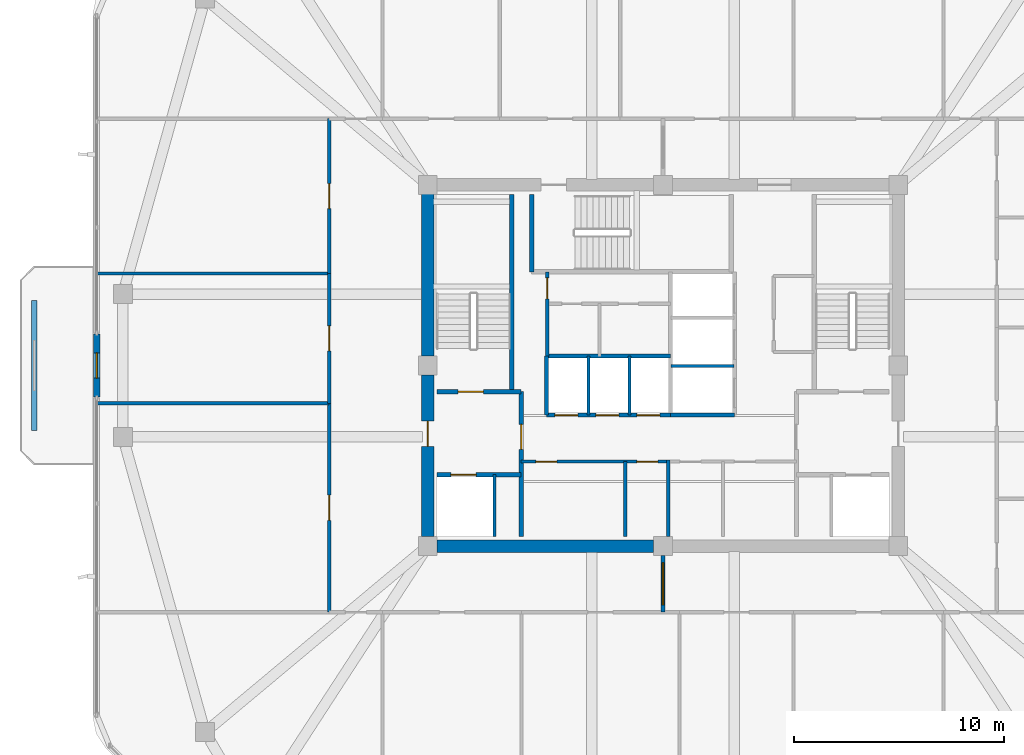
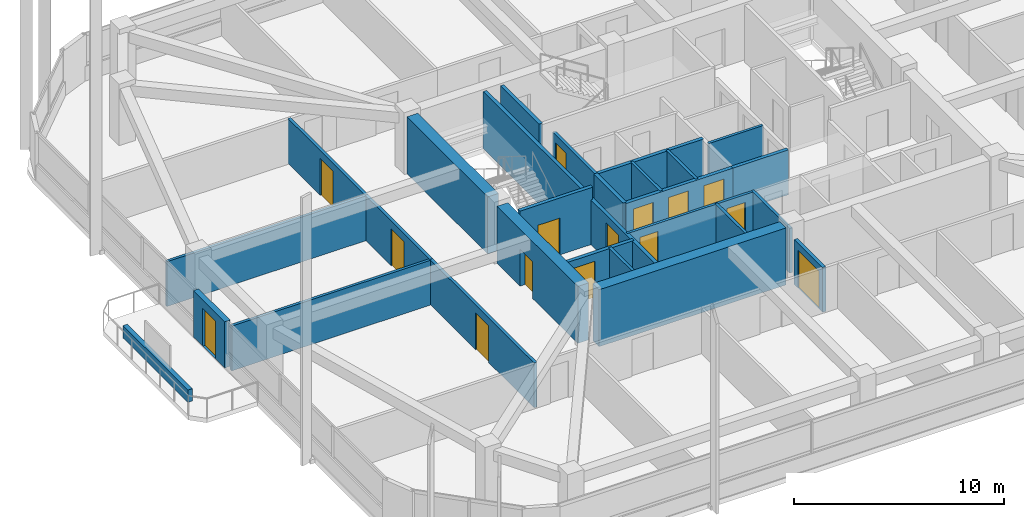
# One storey, part 10 of 17: 28 walls, 15 doors, 15 openings.
"""IFC4 building model written with IfcOpenShell, lengths in metres."""

from ifc_helpers import new_model, si_unit, derived_unit, direction, frame, frame_2d, origin, place, context, subcontext, project, spatial, rectangle, extrude, material, layer, layer_set, type_object, element, fill, save


model = new_model("IFC4")

# Units and contexts
model_context = context("Model", 3, precision=1e-05, world=origin(), true_north=direction((0.0, 1.0)))
body_context = subcontext(model_context, "Body", "Model", "MODEL_VIEW")
ifc_project = project(units=[si_unit("LENGTHUNIT", "METRE"), si_unit("AREAUNIT", "SQUARE_METRE"), si_unit("VOLUMEUNIT", "CUBIC_METRE"), si_unit("PLANEANGLEUNIT", "RADIAN"), si_unit("MASSUNIT", "GRAM", prefix="KILO"), derived_unit("THERMALTRANSMITTANCEUNIT", [(si_unit("POWERUNIT", "WATT"), 1), (si_unit("LENGTHUNIT", "METRE"), -2), (si_unit("THERMODYNAMICTEMPERATUREUNIT", "KELVIN"), -1)])], contexts=[model_context])

# Site, building, storey
site_placement = place(None, origin())
site = spatial("IfcSite", under=ifc_project, at=site_placement, CompositionType="ELEMENT")
building_placement = place(site_placement, origin())
building = spatial("IfcBuilding", under=site, at=building_placement, Name="Koralith Skygarden Medical Center", CompositionType="ELEMENT")
storey_placement = place(building_placement, frame((0.0, 0.0, 221.580078125)))
storey = spatial("IfcBuildingStorey", under=building, at=storey_placement, Name="L57", CompositionType="ELEMENT", Elevation=221.580078125)

# Wall, openings, doors
ifc_material_1 = material(Name="Gypsum Board Partition")
ifc_layer_1 = layer(ifc_material_1, 0.14990234375)
ifc_layer_set_1 = layer_set([ifc_layer_1], Name="Gypsum Board Partition")
wall_type_1 = type_object("IfcWallType", Name="Clinical Acoustic Partition 150", PredefinedType="PARTITIONING", material=ifc_layer_set_1)
wall_1_placement = place(storey_placement, frame((30.25, 21.320068359375, 0.0), z_axis=(0.0, 0.0, 1.0), x_axis=(1.0, 0.0, 0.0)))
wall_1 = element("IfcWall", 1, at=wall_1_placement, inside=storey, type_object=wall_type_1, Name="L57 Clinical Acoustic Partition 150 W-CORE-L57-FREED-LR-N", PredefinedType="PARTITIONING", context=body_context, shape_type="SweptSolid", body=[
    extrude(rectangle(XDim=7.0, YDim=0.14990234375, at=frame_2d((3.5, 0.0))), origin(), (0.0, 0.0, 1.0), 2.60986328125),
])
opening_1_placement = place(wall_1_placement, frame((0.699951171875, 0.0, 0.0)))
opening_1 = element("IfcOpeningElement", 2, at=opening_1_placement, cuts=wall_1, Name="Opening D-SUP", PredefinedType="OPENING", context=body_context, shape_type="SweptSolid", body=[
    extrude(rectangle(XDim=1.0, YDim=2.14990234375, at=frame_2d((0.5, 1.074951171875))), frame((0.0, 0.0849609375, 0.0), z_axis=(0.0, -1.0, 0.0), x_axis=(1.0, 0.0, 0.0)), (0.0, 0.0, 1.0), 0.169921875),
])
opening_2_placement = place(wall_1_placement, frame((5.5, 0.0, 0.0)))
opening_2 = element("IfcOpeningElement", 3, at=opening_2_placement, cuts=wall_1, Name="Opening D-SUP", PredefinedType="OPENING", context=body_context, shape_type="SweptSolid", body=[
    extrude(rectangle(XDim=1.0, YDim=2.14990234375, at=frame_2d((0.5, 1.074951171875))), frame((0.0, 0.0849609375, 0.0), z_axis=(0.0, -1.0, 0.0), x_axis=(1.0, 0.0, 0.0)), (0.0, 0.0, 1.0), 0.169921875),
])
ifc_material_2 = material(Name="Aluminium 6063-T6", Category="aluminium")
door_type_1 = type_object("IfcDoorType", Name="Clinical Support Door D-SUP 1000", OperationType="NOTDEFINED", PredefinedType="DOOR", material=ifc_material_2)
door_1_placement = place(opening_1_placement, frame((1.0, 0.0, 0.0), z_axis=(0.0, 0.0, 1.0), x_axis=(-1.0, 0.0, 0.0)))
door_1 = element("IfcDoor", 4, at=door_1_placement, inside=storey, type_object=door_type_1, Name="L57 Medication Preparation Door", OperationType="SINGLE_SWING_LEFT", OverallHeight=2.14990234375, OverallWidth=1.0, PredefinedType="DOOR", context=body_context, shape_type="SweptSolid", body=[
    extrude(rectangle(XDim=1.0, YDim=2.14990234375, at=frame_2d((0.5, 1.074951171875))), frame((0.0, 0.02490234375, 0.0), z_axis=(0.0, -1.0, 0.0), x_axis=(1.0, 0.0, 0.0)), (0.0, 0.0, 1.0), 0.050048828125),
])
fill(opening_1, door_1)
door_2_placement = place(opening_2_placement, frame((1.0, 0.0, 0.0), z_axis=(0.0, 0.0, 1.0), x_axis=(-1.0, 0.0, 0.0)))
door_2 = element("IfcDoor", 5, at=door_2_placement, inside=storey, type_object=door_type_1, Name="L57 Telemetry Room Door", OperationType="SINGLE_SWING_RIGHT", OverallHeight=2.14990234375, OverallWidth=1.0, PredefinedType="DOOR", context=body_context, shape_type="SweptSolid", body=[
    extrude(rectangle(XDim=1.0, YDim=2.14990234375, at=frame_2d((0.5, 1.074951171875))), frame((0.0, 0.02490234375, 0.0), z_axis=(0.0, -1.0, 0.0), x_axis=(1.0, 0.0, 0.0)), (0.0, 0.0, 1.0), 0.050048828125),
])
fill(opening_2, door_2)

# Walls
wall_2_placement = place(storey_placement, frame((35.199951171875, 17.75, 0.0), z_axis=(0.0, 0.0, 1.0), x_axis=(0.0, 1.0, 0.0)))
element("IfcWall", 6, at=wall_2_placement, inside=storey, type_object=wall_type_1, Name="L57 Clinical Acoustic Partition 150 W-CORE-L57-FREED-LR-M", PredefinedType="PARTITIONING", context=body_context, shape_type="SweptSolid", body=[
    extrude(rectangle(XDim=3.570068359375, YDim=0.14990234375, at=frame_2d((1.78515625, 0.0))), origin(), (0.0, 0.0, 1.0), 2.60986328125),
])
for number, where, z_axis, x_axis, name in (
    (7, (21.10009765625, 24.10009765625, 0.0), (0.0, 0.0, 1.0), (-1.0, 0.0, 0.0), "L57 Clinical Acoustic Partition 150 W-PART-L57-W-01"),
    (8, (21.10009765625, 30.280029296875, 0.0), (0.0, 0.0, 1.0), (-1.0, 0.0, 0.0), "L57 Clinical Acoustic Partition 150 W-PART-L57-W-02"),
):
    element("IfcWall", number, at=place(storey_placement, frame(where, z_axis=z_axis, x_axis=x_axis)), inside=storey, type_object=wall_type_1, Name=name, PredefinedType="PARTITIONING", context=body_context, shape_type="SweptSolid", body=[
        extrude(rectangle(XDim=11.0419921875, YDim=0.14990234375, at=frame_2d((5.52099609375, 0.0))), origin(), (0.0, 0.0, 1.0), 2.60986328125),
    ])

# Wall, opening, door
ifc_layer_2 = layer(ifc_material_1, 0.1650390625)
ifc_layer_set_2 = layer_set([ifc_layer_2], Name="Gypsum Board Partition")
wall_type_2 = type_object("IfcWallType", Name="Clinical Corridor Partition 165", PredefinedType="PARTITIONING", material=ifc_layer_set_2)
wall_3_placement = place(storey_placement, frame((21.10009765625, 14.14990234375, 0.0), z_axis=(0.0, 0.0, 1.0), x_axis=(0.0, 1.0, 0.0)))
wall_3 = element("IfcWall", 9, at=wall_3_placement, inside=storey, type_object=wall_type_2, Name="L57 Clinical Corridor Partition 165 W-CORR-L57-W-01", PredefinedType="PARTITIONING", context=body_context, shape_type="SweptSolid", body=[
    extrude(rectangle(XDim=9.9501953125, YDim=0.1650390625, at=frame_2d((4.97509765625, 0.0))), origin(), (0.0, 0.0, 1.0), 2.60986328125),
])
opening_3_placement = place(wall_3_placement, frame((4.375, 0.0, 0.0)))
opening_3 = element("IfcOpeningElement", 10, at=opening_3_placement, cuts=wall_3, Name="Opening D-CLN", PredefinedType="OPENING", context=body_context, shape_type="SweptSolid", body=[
    extrude(rectangle(XDim=1.199951171875, YDim=2.14990234375, at=frame_2d((0.60009765625, 1.074951171875))), frame((0.0, 0.092529296875, 0.0), z_axis=(0.0, -1.0, 0.0), x_axis=(1.0, 0.0, 0.0)), (0.0, 0.0, 1.0), 0.18505859375),
])
door_type_2 = type_object("IfcDoorType", Name="Clinical Corridor Door D-CLN 1200", OperationType="NOTDEFINED", PredefinedType="DOOR", material=ifc_material_2)
door_3_placement = place(opening_3_placement, frame((1.199951171875, 0.0, 0.0), z_axis=(0.0, 0.0, 1.0), x_axis=(-1.0, 0.0, 0.0)))
door_3 = element("IfcDoor", 11, at=door_3_placement, inside=storey, type_object=door_type_2, Name="L57 Medical Resident Teaching Seminar Room 13 Door", OperationType="SINGLE_SWING_RIGHT", OverallHeight=2.14990234375, OverallWidth=1.199951171875, PredefinedType="DOOR", context=body_context, shape_type="SweptSolid", body=[
    extrude(rectangle(XDim=1.199951171875, YDim=2.14990234375, at=frame_2d((0.60009765625, 1.074951171875))), frame((0.0, 0.02490234375, 0.0), z_axis=(0.0, -1.0, 0.0), x_axis=(1.0, 0.0, 0.0)), (0.0, 0.0, 1.0), 0.050048828125),
])
fill(opening_3, door_3)

wall_4_placement = place(storey_placement, frame((21.10009765625, 24.10009765625, 0.0), z_axis=(0.0, 0.0, 1.0), x_axis=(0.0, 1.0, 0.0)))
wall_4 = element("IfcWall", 12, at=wall_4_placement, inside=storey, type_object=wall_type_2, Name="L57 Clinical Corridor Partition 165 W-CORR-L57-W-02", PredefinedType="PARTITIONING", context=body_context, shape_type="SweptSolid", body=[
    extrude(rectangle(XDim=6.179931640625, YDim=0.1650390625, at=frame_2d((3.08984375, 0.0))), origin(), (0.0, 0.0, 1.0), 2.60986328125),
])
opening_4_placement = place(wall_4_placement, frame((2.489990234375, 0.0, 0.0)))
opening_4 = element("IfcOpeningElement", 13, at=opening_4_placement, cuts=wall_4, Name="Opening D-CLN", PredefinedType="OPENING", context=body_context, shape_type="SweptSolid", body=[
    extrude(rectangle(XDim=1.199951171875, YDim=2.14990234375, at=frame_2d((0.60009765625, 1.074951171875))), frame((0.0, 0.092529296875, 0.0), z_axis=(0.0, -1.0, 0.0), x_axis=(1.0, 0.0, 0.0)), (0.0, 0.0, 1.0), 0.18505859375),
])
door_4_placement = place(opening_4_placement, frame((1.199951171875, 0.0, 0.0), z_axis=(0.0, 0.0, 1.0), x_axis=(-1.0, 0.0, 0.0)))
door_4 = element("IfcDoor", 14, at=door_4_placement, inside=storey, type_object=door_type_2, Name="L57 Patient and Family Sky-Garden Day Lounge 14 Door", OperationType="SINGLE_SWING_LEFT", OverallHeight=2.14990234375, OverallWidth=1.199951171875, PredefinedType="DOOR", context=body_context, shape_type="SweptSolid", body=[
    extrude(rectangle(XDim=1.199951171875, YDim=2.14990234375, at=frame_2d((0.60009765625, 1.074951171875))), frame((0.0, 0.02490234375, 0.0), z_axis=(0.0, -1.0, 0.0), x_axis=(1.0, 0.0, 0.0)), (0.0, 0.0, 1.0), 0.050048828125),
])
fill(opening_4, door_4)

wall_5_placement = place(storey_placement, frame((21.10009765625, 30.280029296875, 0.0), z_axis=(0.0, 0.0, 1.0), x_axis=(0.0, 1.0, 0.0)))
wall_5 = element("IfcWall", 15, at=wall_5_placement, inside=storey, type_object=wall_type_2, Name="L57 Clinical Corridor Partition 165 W-CORR-L57-W-03", PredefinedType="PARTITIONING", context=body_context, shape_type="SweptSolid", body=[
    extrude(rectangle(XDim=7.369873046875, YDim=0.1650390625, at=frame_2d((3.68505859375, 0.0))), origin(), (0.0, 0.0, 1.0), 2.60986328125),
])
opening_5_placement = place(wall_5_placement, frame((3.0849609375, 0.0, 0.0)))
opening_5 = element("IfcOpeningElement", 16, at=opening_5_placement, cuts=wall_5, Name="Opening D-CLN", PredefinedType="OPENING", context=body_context, shape_type="SweptSolid", body=[
    extrude(rectangle(XDim=1.199951171875, YDim=2.14990234375, at=frame_2d((0.60009765625, 1.074951171875))), frame((0.0, 0.092529296875, 0.0), z_axis=(0.0, -1.0, 0.0), x_axis=(1.0, 0.0, 0.0)), (0.0, 0.0, 1.0), 0.18505859375),
])
door_5_placement = place(opening_5_placement, frame((1.199951171875, 0.0, 0.0), z_axis=(0.0, 0.0, 1.0), x_axis=(-1.0, 0.0, 0.0)))
door_5 = element("IfcDoor", 17, at=door_5_placement, inside=storey, type_object=door_type_2, Name="L57 Care Coordinator Office 15 Door", OperationType="SINGLE_SWING_RIGHT", OverallHeight=2.14990234375, OverallWidth=1.199951171875, PredefinedType="DOOR", context=body_context, shape_type="SweptSolid", body=[
    extrude(rectangle(XDim=1.199951171875, YDim=2.14990234375, at=frame_2d((0.60009765625, 1.074951171875))), frame((0.0, 0.02490234375, 0.0), z_axis=(0.0, -1.0, 0.0), x_axis=(1.0, 0.0, 0.0)), (0.0, 0.0, 1.0), 0.050048828125),
])
fill(opening_5, door_5)

ifc_layer_3 = layer(ifc_material_1, 0.199951171875)
ifc_layer_set_3 = layer_set([ifc_layer_3], Name="Gypsum Board Partition")
wall_type_3 = type_object("IfcWallType", Name="Fire Shaft Wall 200", PredefinedType="SOLIDWALL", material=ifc_layer_set_3)
wall_6_placement = place(storey_placement, frame((26.25, 20.699951171875, 0.0), z_axis=(0.0, 0.0, 1.0), x_axis=(1.0, 0.0, 0.0)))
wall_6 = element("IfcWall", 18, at=wall_6_placement, inside=storey, type_object=wall_type_3, Name="L57 Fire Shaft Wall 200 W-CORE-L57-FF1-N", PredefinedType="SOLIDWALL", context=body_context, shape_type="SweptSolid", body=[
    extrude(rectangle(XDim=4.0, YDim=0.199951171875, at=frame_2d((2.0, 0.0))), origin(), (0.0, 0.0, 1.0), 2.60986328125),
])
opening_6_placement = place(wall_6_placement, frame((0.64990234375, 0.0, 0.0)))
opening_6 = element("IfcOpeningElement", 19, at=opening_6_placement, cuts=wall_6, Name="Opening LD-FF", PredefinedType="OPENING", context=body_context, shape_type="SweptSolid", body=[
    extrude(rectangle(XDim=1.199951171875, YDim=2.14990234375, at=frame_2d((0.60009765625, 1.074951171875))), frame((0.0, 0.10986328125, 0.0), z_axis=(0.0, -1.0, 0.0), x_axis=(1.0, 0.0, 0.0)), (0.0, 0.0, 1.0), 0.219970703125),
])
ifc_material_3 = material(Name="Steel ASTM A500 Grade C", Category="steel")
door_type_3 = type_object("IfcDoorType", Name="Fire Lift Sliding Landing Door LD-FF 1200", OperationType="NOTDEFINED", PredefinedType="DOOR", material=ifc_material_3)
door_6_placement = place(opening_6_placement, origin())
door_6 = element("IfcDoor", 20, at=door_6_placement, inside=storey, type_object=door_type_3, Name="L57 Fire Service Elevator FF1 Landing Door", OperationType="SLIDING_TO_LEFT", OverallHeight=2.14990234375, OverallWidth=1.199951171875, PredefinedType="DOOR", context=body_context, shape_type="SweptSolid", body=[
    extrude(rectangle(XDim=1.199951171875, YDim=2.14990234375, at=frame_2d((0.60009765625, 1.074951171875))), frame((0.0, 0.02490234375, 0.0), z_axis=(0.0, -1.0, 0.0), x_axis=(1.0, 0.0, 0.0)), (0.0, 0.0, 1.0), 0.050048828125),
])
fill(opening_6, door_6)

wall_7_placement = place(storey_placement, frame((30.25, 17.75, 0.0), z_axis=(0.0, 0.0, 1.0), x_axis=(0.0, 1.0, 0.0)))
wall_7 = element("IfcWall", 21, at=wall_7_placement, inside=storey, type_object=wall_type_3, Name="L57 Fire Shaft Wall 200 W-CORE-L57-FSAEW-E", PredefinedType="SOLIDWALL", context=body_context, shape_type="SweptSolid", body=[
    extrude(rectangle(XDim=6.89990234375, YDim=0.199951171875, at=frame_2d((3.449951171875, 0.0))), origin(), (0.0, 0.0, 1.0), 2.60986328125),
])
opening_7_placement = place(wall_7_placement, frame((4.14990234375, 0.0, 0.0)))
opening_7 = element("IfcOpeningElement", 22, at=opening_7_placement, cuts=wall_7, Name="Opening D-ST60", PredefinedType="OPENING", context=body_context, shape_type="SweptSolid", body=[
    extrude(rectangle(XDim=1.199951171875, YDim=2.14990234375, at=frame_2d((0.60009765625, 1.074951171875))), frame((0.0, 0.10986328125, 0.0), z_axis=(0.0, -1.0, 0.0), x_axis=(1.0, 0.0, 0.0)), (0.0, 0.0, 1.0), 0.219970703125),
])
door_type_4 = type_object("IfcDoorType", Name="Smokeproof Stair Fire Door FD60S 1200", OperationType="NOTDEFINED", PredefinedType="DOOR", material=ifc_material_3)
door_7_placement = place(opening_7_placement, origin())
door_7 = element("IfcDoor", 23, at=door_7_placement, inside=storey, type_object=door_type_4, Name="L57 West Firefighting Lobby Inner Fire Door", OperationType="SINGLE_SWING_LEFT", OverallHeight=2.14990234375, OverallWidth=1.199951171875, PredefinedType="DOOR", context=body_context, shape_type="SweptSolid", body=[
    extrude(rectangle(XDim=1.199951171875, YDim=2.14990234375, at=frame_2d((0.60009765625, 1.074951171875))), frame((0.0, 0.02490234375, 0.0), z_axis=(0.0, -1.0, 0.0), x_axis=(1.0, 0.0, 0.0)), (0.0, 0.0, 1.0), 0.050048828125),
])
fill(opening_7, door_7)

# Wall, openings, doors
wall_8_placement = place(storey_placement, frame((31.449951171875, 23.5400390625, 0.0), z_axis=(0.0, 0.0, 1.0), x_axis=(1.0, 0.0, 0.0)))
wall_8 = element("IfcWall", 24, at=wall_8_placement, inside=storey, type_object=wall_type_3, Name="L57 Fire Shaft Wall 200 W-CORE-L57-PH-S", PredefinedType="SOLIDWALL", context=body_context, shape_type="SweptSolid", body=[
    extrude(rectangle(XDim=5.900146484375, YDim=0.199951171875, at=frame_2d((2.9501953125, 0.0))), origin(), (0.0, 0.0, 1.0), 2.60986328125),
])
opening_8_placement = place(wall_8_placement, frame((0.39990234375, 0.0, 0.0)))
opening_8 = element("IfcOpeningElement", 25, at=opening_8_placement, cuts=wall_8, Name="Opening LD-P", PredefinedType="OPENING", context=body_context, shape_type="SweptSolid", body=[
    extrude(rectangle(XDim=1.10009765625, YDim=2.14990234375, at=frame_2d((0.550048828125, 1.074951171875))), frame((0.0, 0.10986328125, 0.0), z_axis=(0.0, -1.0, 0.0), x_axis=(1.0, 0.0, 0.0)), (0.0, 0.0, 1.0), 0.219970703125),
])
opening_9_placement = place(wall_8_placement, frame((2.35009765625, 0.0, 0.0)))
opening_9 = element("IfcOpeningElement", 26, at=opening_9_placement, cuts=wall_8, Name="Opening LD-P", PredefinedType="OPENING", context=body_context, shape_type="SweptSolid", body=[
    extrude(rectangle(XDim=1.10009765625, YDim=2.14990234375, at=frame_2d((0.550048828125, 1.074951171875))), frame((0.0, 0.10986328125, 0.0), z_axis=(0.0, -1.0, 0.0), x_axis=(1.0, 0.0, 0.0)), (0.0, 0.0, 1.0), 0.219970703125),
])
opening_10_placement = place(wall_8_placement, frame((4.300048828125, 0.0, 0.0)))
opening_10 = element("IfcOpeningElement", 27, at=opening_10_placement, cuts=wall_8, Name="Opening LD-P", PredefinedType="OPENING", context=body_context, shape_type="SweptSolid", body=[
    extrude(rectangle(XDim=1.10009765625, YDim=2.14990234375, at=frame_2d((0.550048828125, 1.074951171875))), frame((0.0, 0.10986328125, 0.0), z_axis=(0.0, -1.0, 0.0), x_axis=(1.0, 0.0, 0.0)), (0.0, 0.0, 1.0), 0.219970703125),
])
door_type_5 = type_object("IfcDoorType", Name="Passenger Lift Sliding Landing Door LD-P 1100", OperationType="NOTDEFINED", PredefinedType="DOOR", material=ifc_material_3)
door_8_placement = place(opening_8_placement, origin())
door_8 = element("IfcDoor", 28, at=door_8_placement, inside=storey, type_object=door_type_5, Name="L57 Passenger Elevator PH1 Landing Door", OperationType="SLIDING_TO_RIGHT", OverallHeight=2.14990234375, OverallWidth=1.10009765625, PredefinedType="DOOR", context=body_context, shape_type="SweptSolid", body=[
    extrude(rectangle(XDim=1.10009765625, YDim=2.14990234375, at=frame_2d((0.550048828125, 1.074951171875))), frame((0.0, 0.02490234375, 0.0), z_axis=(0.0, -1.0, 0.0), x_axis=(1.0, 0.0, 0.0)), (0.0, 0.0, 1.0), 0.050048828125),
])
fill(opening_8, door_8)
door_9_placement = place(opening_9_placement, origin())
door_9 = element("IfcDoor", 29, at=door_9_placement, inside=storey, type_object=door_type_5, Name="L57 Passenger Elevator PH2 Landing Door", OperationType="SLIDING_TO_RIGHT", OverallHeight=2.14990234375, OverallWidth=1.10009765625, PredefinedType="DOOR", context=body_context, shape_type="SweptSolid", body=[
    extrude(rectangle(XDim=1.10009765625, YDim=2.14990234375, at=frame_2d((0.550048828125, 1.074951171875))), frame((0.0, 0.02490234375, 0.0), z_axis=(0.0, -1.0, 0.0), x_axis=(1.0, 0.0, 0.0)), (0.0, 0.0, 1.0), 0.050048828125),
])
fill(opening_9, door_9)
door_10_placement = place(opening_10_placement, origin())
door_10 = element("IfcDoor", 30, at=door_10_placement, inside=storey, type_object=door_type_5, Name="L57 Passenger Elevator PH3 Landing Door", OperationType="SLIDING_TO_RIGHT", OverallHeight=2.14990234375, OverallWidth=1.10009765625, PredefinedType="DOOR", context=body_context, shape_type="SweptSolid", body=[
    extrude(rectangle(XDim=1.10009765625, YDim=2.14990234375, at=frame_2d((0.550048828125, 1.074951171875))), frame((0.0, 0.02490234375, 0.0), z_axis=(0.0, -1.0, 0.0), x_axis=(1.0, 0.0, 0.0)), (0.0, 0.0, 1.0), 0.050048828125),
])
fill(opening_10, door_10)

# Walls
wall_9_placement = place(storey_placement, frame((31.449951171875, 26.35009765625, 0.0), z_axis=(0.0, 0.0, 1.0), x_axis=(1.0, 0.0, 0.0)))
element("IfcWall", 31, at=wall_9_placement, inside=storey, type_object=wall_type_3, Name="L57 Fire Shaft Wall 200 W-CORE-L57-PH-N", PredefinedType="SOLIDWALL", context=body_context, shape_type="SweptSolid", body=[
    extrude(rectangle(XDim=5.900146484375, YDim=0.199951171875, at=frame_2d((2.9501953125, 0.0))), origin(), (0.0, 0.0, 1.0), 2.60986328125),
])
wall_10_placement = place(storey_placement, frame((31.449951171875, 23.5400390625, 0.0), z_axis=(0.0, 0.0, 1.0), x_axis=(0.0, 1.0, 0.0)))
element("IfcWall", 32, at=wall_10_placement, inside=storey, type_object=wall_type_3, Name="L57 Fire Shaft Wall 200 W-CORE-L57-PH-W", PredefinedType="SOLIDWALL", context=body_context, shape_type="SweptSolid", body=[
    extrude(rectangle(XDim=2.81005859375, YDim=0.199951171875, at=frame_2d((1.405029296875, 0.0))), origin(), (0.0, 0.0, 1.0), 2.60986328125),
])
wall_11_placement = place(storey_placement, frame((37.35009765625, 23.5400390625, 0.0), z_axis=(0.0, 0.0, 1.0), x_axis=(1.0, 0.0, 0.0)))
element("IfcWall", 33, at=wall_11_placement, inside=storey, type_object=wall_type_3, Name="L57 Fire Shaft Wall 200 W-CORE-L57-SV-S", PredefinedType="SOLIDWALL", context=body_context, shape_type="SweptSolid", body=[
    extrude(rectangle(XDim=3.0498046875, YDim=0.199951171875, at=frame_2d((1.52490234375, 0.0))), origin(), (0.0, 0.0, 1.0), 2.60986328125),
])

# Wall, opening, door
ifc_layer_4 = layer(ifc_material_1, 0.179931640625)
ifc_layer_set_4 = layer_set([ifc_layer_4], Name="Gypsum Board Partition")
wall_type_4 = type_object("IfcWallType", Name="Group I-2 Smoke Barrier Wall 180", PredefinedType="PARTITIONING", material=ifc_layer_set_4)
wall_12_placement = place(storey_placement, frame((37.0, 14.14990234375, 0.0), z_axis=(0.0, 0.0, 1.0), x_axis=(0.0, 1.0, 0.0)))
wall_12 = element("IfcWall", 34, at=wall_12_placement, inside=storey, type_object=wall_type_4, Name="L57 Group I-2 Smoke Barrier Wall 180 W-SMK-L57-S", PredefinedType="PARTITIONING", context=body_context, shape_type="SweptSolid", body=[
    extrude(rectangle(XDim=2.7001953125, YDim=0.179931640625, at=frame_2d((1.35009765625, 0.0))), origin(), (0.0, 0.0, 1.0), 2.60986328125),
])
opening_11_placement = place(wall_12_placement, frame((0.35009765625, 0.0, 0.0)))
opening_11 = element("IfcOpeningElement", 35, at=opening_11_placement, cuts=wall_12, Name="Opening D-SMK", PredefinedType="OPENING", context=body_context, shape_type="SweptSolid", body=[
    extrude(rectangle(XDim=2.0, YDim=2.199951171875, at=frame_2d((1.0, 1.10009765625))), frame((0.0, 0.099853515625, 0.0), z_axis=(0.0, -1.0, 0.0), x_axis=(1.0, 0.0, 0.0)), (0.0, 0.0, 1.0), 0.199951171875),
])
door_type_6 = type_object("IfcDoorType", Name="Cross-Corridor Double Smoke Door FD60S 2000", OperationType="NOTDEFINED", PredefinedType="DOOR", material=ifc_material_3)
door_11_placement = place(opening_11_placement, frame((2.0, 0.0, 0.0), z_axis=(0.0, 0.0, 1.0), x_axis=(-1.0, 0.0, 0.0)))
door_11 = element("IfcDoor", 36, at=door_11_placement, inside=storey, type_object=door_type_6, Name="L57 S Smoke Compartment Cross-Corridor Door", OperationType="DOUBLE_DOOR_SINGLE_SWING", OverallHeight=2.199951171875, OverallWidth=2.0, PredefinedType="DOOR", context=body_context, shape_type="SweptSolid", body=[
    extrude(rectangle(XDim=2.0, YDim=2.199951171875, at=frame_2d((1.0, 1.10009765625))), frame((0.0, 0.02490234375, 0.0), z_axis=(0.0, -1.0, 0.0), x_axis=(1.0, 0.0, 0.0)), (0.0, 0.0, 1.0), 0.050048828125),
])
fill(opening_11, door_11)

ifc_material_4 = material(Name="Warm Oolitic Limestone Cladding", Category="masonry")
ifc_layer_5 = layer(ifc_material_4, 0.300048828125)
ifc_layer_set_5 = layer_set([ifc_layer_5], Name="Warm Oolitic Limestone Cladding")
wall_type_5 = type_object("IfcWallType", Name="Oolitic Limestone Insulated Facade Wall 300", PredefinedType="SOLIDWALL", material=ifc_layer_set_5)
wall_13_placement = place(storey_placement, frame((10.0380859375, 27.39990234375, 0.0), z_axis=(0.0, 0.0, 1.0), x_axis=(0.0, -1.0, 0.0)))
wall_13 = element("IfcWall", 37, at=wall_13_placement, inside=storey, type_object=wall_type_5, Name="L57 Terrace Portal Wall W", PredefinedType="SOLIDWALL", context=body_context, shape_type="SweptSolid", body=[
    extrude(rectangle(XDim=3.0, YDim=0.300048828125, at=frame_2d((1.5, 0.0))), origin(), (0.0, 0.0, 1.0), 2.68994140625),
])
opening_12_placement = place(wall_13_placement, frame((0.89990234375, 0.0, 0.0)))
opening_12 = element("IfcOpeningElement", 38, at=opening_12_placement, cuts=wall_13, Name="Opening D-BAL", PredefinedType="OPENING", context=body_context, shape_type="SweptSolid", body=[
    extrude(rectangle(XDim=1.199951171875, YDim=2.199951171875, at=frame_2d((0.60009765625, 1.10009765625))), frame((0.0, 0.159912109375, 0.0), z_axis=(0.0, -1.0, 0.0), x_axis=(1.0, 0.0, 0.0)), (0.0, 0.0, 1.0), 0.320068359375),
])
door_type_7 = type_object("IfcDoorType", Name="Planted Balcony Glazed Terrace Door D-BAL 1200", OperationType="NOTDEFINED", PredefinedType="DOOR", material=ifc_material_2)
door_12_placement = place(opening_12_placement, origin())
door_12 = element("IfcDoor", 39, at=door_12_placement, inside=storey, type_object=door_type_7, Name="L57 W Outdoor Terrace Access Door", OperationType="SINGLE_SWING_RIGHT", OverallHeight=2.199951171875, OverallWidth=1.199951171875, PredefinedType="DOOR", context=body_context, shape_type="SweptSolid", body=[
    extrude(rectangle(XDim=1.199951171875, YDim=2.199951171875, at=frame_2d((0.60009765625, 1.10009765625))), frame((0.0, 0.02490234375, 0.0), z_axis=(0.0, -1.0, 0.0), x_axis=(1.0, 0.0, 0.0)), (0.0, 0.0, 1.0), 0.050048828125),
])
fill(opening_12, door_12)

ifc_layer_6 = layer(ifc_material_1, 0.1650390625)
ifc_layer_set_6 = layer_set([ifc_layer_6], Name="Gypsum Board Partition")
wall_type_6 = type_object("IfcWallType", Name="Plumbing Wet Wall 165", PredefinedType="PLUMBINGWALL", material=ifc_layer_set_6)
wall_14_placement = place(storey_placement, frame((31.47998046875, 26.320068359375, 0.0), z_axis=(0.0, 0.0, 1.0), x_axis=(0.0, 1.0, 0.0)))
wall_14 = element("IfcWall", 40, at=wall_14_placement, inside=storey, type_object=wall_type_6, Name="L57 Plumbing Wet Wall 165 W-CORE-L57-FLEX-W", PredefinedType="PLUMBINGWALL", context=body_context, shape_type="SweptSolid", body=[
    extrude(rectangle(XDim=4.0400390625, YDim=0.1650390625, at=frame_2d((2.02001953125, 0.0))), origin(), (0.0, 0.0, 1.0), 2.60986328125),
])
opening_13_placement = place(wall_14_placement, frame((2.75, 0.0, 0.0)))
opening_13 = element("IfcOpeningElement", 41, at=opening_13_placement, cuts=wall_14, Name="Opening D-SUP", PredefinedType="OPENING", context=body_context, shape_type="SweptSolid", body=[
    extrude(rectangle(XDim=1.0, YDim=2.14990234375, at=frame_2d((0.5, 1.074951171875))), frame((0.0, 0.092529296875, 0.0), z_axis=(0.0, -1.0, 0.0), x_axis=(1.0, 0.0, 0.0)), (0.0, 0.0, 1.0), 0.18505859375),
])
door_13_placement = place(opening_13_placement, frame((1.0, 0.0, 0.0), z_axis=(0.0, 0.0, 1.0), x_axis=(-1.0, 0.0, 0.0)))
door_13 = element("IfcDoor", 42, at=door_13_placement, inside=storey, type_object=door_type_1, Name="L57 Core Utility Alcove Door", OperationType="SINGLE_SWING_RIGHT", OverallHeight=2.14990234375, OverallWidth=1.0, PredefinedType="DOOR", context=body_context, shape_type="SweptSolid", body=[
    extrude(rectangle(XDim=1.0, YDim=2.14990234375, at=frame_2d((0.5, 1.074951171875))), frame((0.0, 0.02490234375, 0.0), z_axis=(0.0, -1.0, 0.0), x_axis=(1.0, 0.0, 0.0)), (0.0, 0.0, 1.0), 0.050048828125),
])
fill(opening_13, door_13)

# Walls
ifc_layer_7 = layer(ifc_material_1, 0.14990234375)
ifc_layer_set_7 = layer_set([ifc_layer_7], Name="Gypsum Board Partition")
wall_type_7 = type_object("IfcWallType", Name="Shaft Partition Wall 150", PredefinedType="PARTITIONING", material=ifc_layer_set_7)
wall_15_placement = place(storey_placement, frame((28.969970703125, 17.75, 0.0), z_axis=(0.0, 0.0, 1.0), x_axis=(0.0, 1.0, 0.0)))
element("IfcWall", 43, at=wall_15_placement, inside=storey, type_object=wall_type_7, Name="L57 Shaft Partition Wall 150 W-CORE-L57-RSRW-DIV", PredefinedType="PARTITIONING", context=body_context, shape_type="SweptSolid", body=[
    extrude(rectangle(XDim=2.949951171875, YDim=0.14990234375, at=frame_2d((1.47509765625, 0.0))), origin(), (0.0, 0.0, 1.0), 2.60986328125),
])
wall_16_placement = place(storey_placement, frame((37.25, 17.75, 0.0), z_axis=(0.0, 0.0, 1.0), x_axis=(0.0, 1.0, 0.0)))
element("IfcWall", 44, at=wall_16_placement, inside=storey, type_object=wall_type_7, Name="L57 Shaft Partition Wall 150 W-CORE-L57-PL-PM-SEP", PredefinedType="PARTITIONING", context=body_context, shape_type="SweptSolid", body=[
    extrude(rectangle(XDim=3.64990234375, YDim=0.14990234375, at=frame_2d((1.824951171875, 0.0))), origin(), (0.0, 0.0, 1.0), 2.60986328125),
])
for number, where, z_axis, x_axis, name in (
    (45, (33.449951171875, 23.5400390625, 0.0), (0.0, 0.0, 1.0), (0.0, 1.0, 0.0), "L57 Shaft Partition Wall 150 W-CORE-L57-PH-D1"),
    (46, (35.39990234375, 23.5400390625, 0.0), (0.0, 0.0, 1.0), (0.0, 1.0, 0.0), "L57 Shaft Partition Wall 150 W-CORE-L57-PH-D2"),
):
    element("IfcWall", number, at=place(storey_placement, frame(where, z_axis=z_axis, x_axis=x_axis)), inside=storey, type_object=wall_type_7, Name=name, PredefinedType="PARTITIONING", context=body_context, shape_type="SweptSolid", body=[
        extrude(rectangle(XDim=2.81005859375, YDim=0.14990234375, at=frame_2d((1.405029296875, 0.0))), origin(), (0.0, 0.0, 1.0), 2.60986328125),
    ])
wall_17_placement = place(storey_placement, frame((37.3701171875, 25.8701171875, 0.0), z_axis=(0.0, 0.0, 1.0), x_axis=(1.0, 0.0, 0.0)))
element("IfcWall", 47, at=wall_17_placement, inside=storey, type_object=wall_type_7, Name="L57 Shaft Partition Wall 150 W-CORE-L57-SV-D1", PredefinedType="PARTITIONING", context=body_context, shape_type="SweptSolid", body=[
    extrude(rectangle(XDim=3.009765625, YDim=0.14990234375, at=frame_2d((1.5048828125, 0.0))), origin(), (0.0, 0.0, 1.0), 2.60986328125),
])
ifc_material_5 = material(Name="Precast concrete C40/50", Category="concrete")
ifc_layer_8 = layer(ifc_material_5, 0.25)
ifc_layer_set_8 = layer_set([ifc_layer_8], Name="Precast concrete C40/50")
wall_type_8 = type_object("IfcWallType", Name="Structural Concrete Balcony Planter Kerb 250", PredefinedType="PARAPET", material=ifc_layer_set_8)
wall_18_placement = place(storey_placement, frame((7.05810546875, 22.800048828125, 0.0), z_axis=(0.0, 0.0, 1.0), x_axis=(0.0, 1.0, 0.0)))
element("IfcWall", 48, at=wall_18_placement, inside=storey, type_object=wall_type_8, Name="L57 W Structural Tree PLANTER Box", PredefinedType="PARAPET", context=body_context, shape_type="SweptSolid", body=[
    extrude(rectangle(XDim=6.199951171875, YDim=0.25, at=frame_2d((3.10009765625, 0.0))), origin(), (0.0, 0.0, 1.0), 0.719970703125),
])
ifc_material_6 = material(Name="Concrete C45/55", Category="concrete")
ifc_layer_9 = layer(ifc_material_6, 0.199951171875)
ifc_layer_set_9 = layer_set([ifc_layer_9], Name="Concrete C45/55")
wall_type_9 = type_object("IfcWallType", Name="Structural Stair Shaft Wall 200", PredefinedType="SHEAR", material=ifc_layer_set_9)
wall_19_placement = place(storey_placement, frame((29.800048828125, 24.64990234375, 0.0), z_axis=(0.0, 0.0, 1.0), x_axis=(0.0, 1.0, 0.0)))
element("IfcWall", 49, at=wall_19_placement, inside=storey, type_object=wall_type_9, Name="L57 Structural Stair Shaft Wall 200 W-CORE-L57-ST1-E", PredefinedType="SHEAR", context=body_context, shape_type="SweptSolid", body=[
    extrude(rectangle(XDim=9.400146484375, YDim=0.199951171875, at=frame_2d((4.7001953125, 0.0))), origin(), (0.0, 0.0, 1.0), 3.31982421875),
])

# Wall, opening, door
wall_20_placement = place(storey_placement, frame((26.25, 24.64990234375, 0.0), z_axis=(0.0, 0.0, 1.0), x_axis=(1.0, 0.0, 0.0)))
wall_20 = element("IfcWall", 50, at=wall_20_placement, inside=storey, type_object=wall_type_9, Name="L57 Structural Stair Shaft Wall 200 W-CORE-L57-ST1-S", PredefinedType="SHEAR", context=body_context, shape_type="SweptSolid", body=[
    extrude(rectangle(XDim=4.0, YDim=0.199951171875, at=frame_2d((2.0, 0.0))), origin(), (0.0, 0.0, 1.0), 3.31982421875),
])
opening_14_placement = place(wall_20_placement, frame((1.0, 0.0, 0.0)))
opening_14 = element("IfcOpeningElement", 51, at=opening_14_placement, cuts=wall_20, Name="Opening D-ST60", PredefinedType="OPENING", context=body_context, shape_type="SweptSolid", body=[
    extrude(rectangle(XDim=1.199951171875, YDim=2.14990234375, at=frame_2d((0.60009765625, 1.074951171875))), frame((0.0, 0.10986328125, 0.0), z_axis=(0.0, -1.0, 0.0), x_axis=(1.0, 0.0, 0.0)), (0.0, 0.0, 1.0), 0.219970703125),
])
door_14_placement = place(opening_14_placement, origin())
door_14 = element("IfcDoor", 52, at=door_14_placement, inside=storey, type_object=door_type_4, Name="L57 Exit Stair ST1 Fire Door", OperationType="SINGLE_SWING_LEFT", OverallHeight=2.14990234375, OverallWidth=1.199951171875, PredefinedType="DOOR", context=body_context, shape_type="SweptSolid", body=[
    extrude(rectangle(XDim=1.199951171875, YDim=2.14990234375, at=frame_2d((0.60009765625, 1.074951171875))), frame((0.0, 0.02490234375, 0.0), z_axis=(0.0, -1.0, 0.0), x_axis=(1.0, 0.0, 0.0)), (0.0, 0.0, 1.0), 0.050048828125),
])
fill(opening_14, door_14)

# Walls
wall_21_placement = place(storey_placement, frame((30.75, 30.360107421875, 0.0), z_axis=(0.0, 0.0, 1.0), x_axis=(0.0, 1.0, 0.0)))
element("IfcWall", 53, at=wall_21_placement, inside=storey, type_object=wall_type_9, Name="L57 Structural Stair Shaft Wall 200 W-CORE-L57-ST3-W", PredefinedType="SHEAR", context=body_context, shape_type="SweptSolid", body=[
    extrude(rectangle(XDim=3.68994140625, YDim=0.199951171875, at=frame_2d((1.844970703125, 0.0))), origin(), (0.0, 0.0, 1.0), 3.31982421875),
])
ifc_material_7 = material(Name="Concrete C55/67", Category="concrete")
ifc_layer_10 = layer(ifc_material_7, 0.60009765625)
ifc_layer_set_10 = layer_set([ifc_layer_10], Name="Concrete C55/67")
wall_type_10 = type_object("IfcWallType", Name="Upper Core Shear Wall 600", PredefinedType="SHEAR", material=ifc_layer_set_10)
wall_22_placement = place(storey_placement, frame((26.2451171875, 17.300048828125, 0.0), z_axis=(0.0, 0.0, 1.0), x_axis=(1.0, 0.0, 0.0)))
element("IfcWall", 54, at=wall_22_placement, inside=storey, type_object=wall_type_10, Name="L57 Core Shear Wall Segment 1", PredefinedType="SHEAR", context=body_context, shape_type="SweptSolid", body=[
    extrude(rectangle(XDim=10.309814453125, YDim=0.60009765625, at=frame_2d((5.15478515625, 0.0))), origin(), (0.0, 0.0, 1.0), 3.31982421875),
])
wall_23_placement = place(storey_placement, frame((25.800048828125, 34.054931640625, 0.0), z_axis=(0.0, 0.0, 1.0), x_axis=(0.0, -1.0, 0.0)))
element("IfcWall", 55, at=wall_23_placement, inside=storey, type_object=wall_type_10, Name="L57 Core Shear Wall Segment 7", PredefinedType="SHEAR", context=body_context, shape_type="SweptSolid", body=[
    extrude(rectangle(XDim=7.7099609375, YDim=0.60009765625, at=frame_2d((3.85498046875, 0.0))), origin(), (0.0, 0.0, 1.0), 3.31982421875),
])

# Wall, opening, door
wall_24_placement = place(storey_placement, frame((25.800048828125, 25.455078125, 0.0), z_axis=(0.0, 0.0, 1.0), x_axis=(0.0, -1.0, 0.0)))
wall_24 = element("IfcWall", 56, at=wall_24_placement, inside=storey, type_object=wall_type_10, Name="L57 Core Shear Wall Segment 8", PredefinedType="SHEAR", context=body_context, shape_type="SweptSolid", body=[
    extrude(rectangle(XDim=7.7099609375, YDim=0.60009765625, at=frame_2d((3.85498046875, 0.0))), origin(), (0.0, 0.0, 1.0), 3.31982421875),
])
opening_15_placement = place(wall_24_placement, frame((2.205078125, 0.0, 0.0)))
opening_15 = element("IfcOpeningElement", 57, at=opening_15_placement, cuts=wall_24, Name="Opening D-ST60", PredefinedType="OPENING", context=body_context, shape_type="SweptSolid", body=[
    extrude(rectangle(XDim=1.199951171875, YDim=2.14990234375, at=frame_2d((0.60009765625, 1.074951171875))), frame((0.0, 0.31005859375, 0.0), z_axis=(0.0, -1.0, 0.0), x_axis=(1.0, 0.0, 0.0)), (0.0, 0.0, 1.0), 0.6201171875),
])
door_15_placement = place(opening_15_placement, frame((1.199951171875, 0.0, 0.0), z_axis=(0.0, 0.0, 1.0), x_axis=(-1.0, 0.0, 0.0)))
door_15 = element("IfcDoor", 58, at=door_15_placement, inside=storey, type_object=door_type_4, Name="L57 West Corridor to Firefighting Lobby Door", OperationType="SINGLE_SWING_LEFT", OverallHeight=2.14990234375, OverallWidth=1.199951171875, PredefinedType="DOOR", context=body_context, shape_type="SweptSolid", body=[
    extrude(rectangle(XDim=1.199951171875, YDim=2.14990234375, at=frame_2d((0.60009765625, 1.074951171875))), frame((0.0, 0.02490234375, 0.0), z_axis=(0.0, -1.0, 0.0), x_axis=(1.0, 0.0, 0.0)), (0.0, 0.0, 1.0), 0.050048828125),
])
fill(opening_15, door_15)

save(model, "model.ifc")
